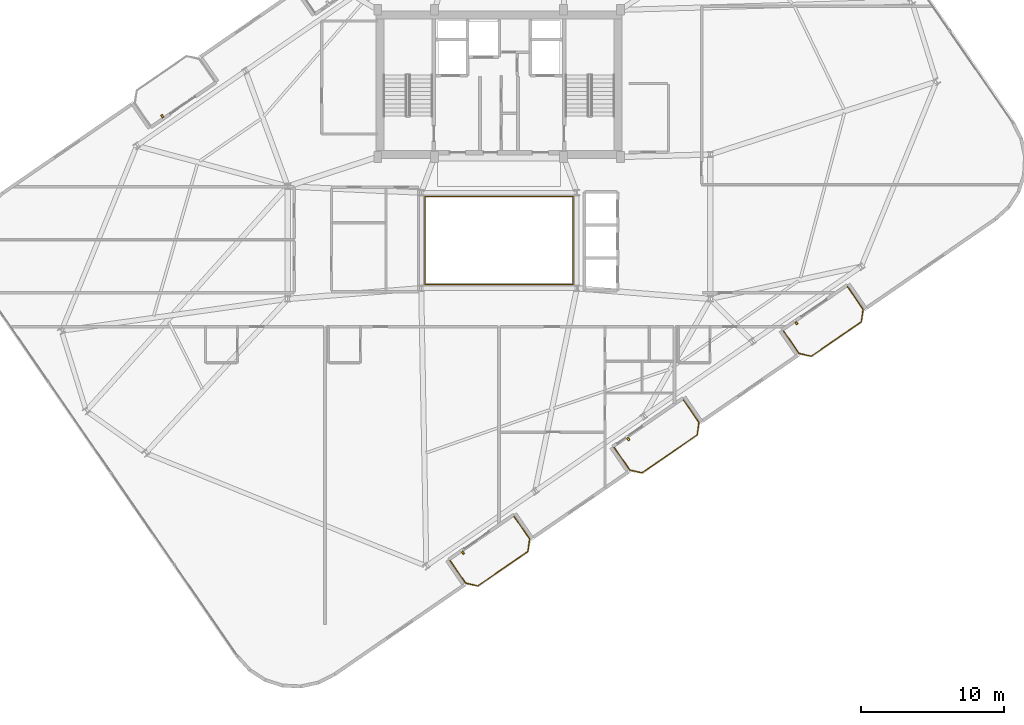
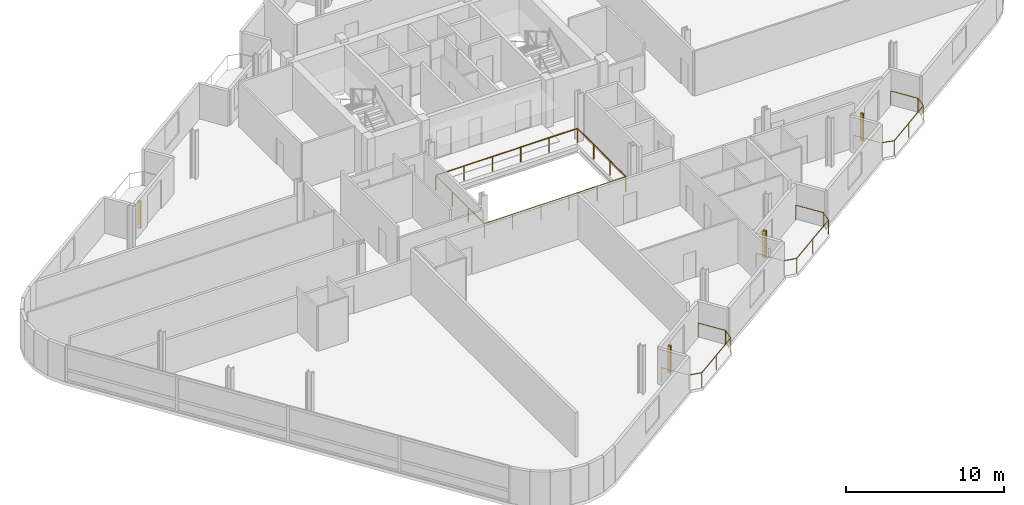
# One storey, part 19 of 21: 5 railings, 4 shading devices.
"""IFC4 building model written with IfcOpenShell, lengths in metres."""

from ifc_helpers import new_model, si_unit, direction, frame, origin, origin_2d, place, context, subcontext, project, spatial, rectangle, circle, extrude, source, transform, mapped, material, type_object, element, save


model = new_model("IFC4")

# Units and contexts
model_context = context("Model", 3, precision=1e-05, world=origin(), true_north=direction((0.0, 1.0)))
body_context = subcontext(model_context, "Body", "Model", "MODEL_VIEW")
ifc_project = project(units=[si_unit("LENGTHUNIT", "METRE"), si_unit("AREAUNIT", "SQUARE_METRE"), si_unit("VOLUMEUNIT", "CUBIC_METRE"), si_unit("PLANEANGLEUNIT", "RADIAN"), si_unit("MASSUNIT", "GRAM", prefix="KILO")], contexts=[model_context])

# Site, building, storey
site_placement = place(None, origin())
site = spatial("IfcSite", under=ifc_project, at=site_placement, CompositionType="ELEMENT")
building_placement = place(site_placement, origin())
building = spatial("IfcBuilding", under=site, at=building_placement, Name="Varnelok Gate Tower", CompositionType="ELEMENT")
storey_placement = place(building_placement, frame((0.0, 0.0, 276.699951171875)))
storey = spatial("IfcBuildingStorey", under=building, at=storey_placement, Name="L71", CompositionType="ELEMENT", Elevation=276.699951171875)

# Railings
ifc_material_1 = material(Name="Tempered Laminated Balustrade Glass", Category="glass")
railing_type_1 = type_object("IfcRailingType", Name="RL-ATR-GUARD1150", PredefinedType="GUARDRAIL", material=ifc_material_1)
railing_1_placement = place(storey_placement, frame((34.02001953125, 25.929931640625, 0.0)))
element("IfcRailing", 1, at=railing_1_placement, inside=storey, type_object=railing_type_1, Name="L71 Internal Atrium South-West Guardrail", PredefinedType="GUARDRAIL", context=body_context, shape_type="SweptSolid", body=[
    extrude(circle(Radius=0.02392578125, at=origin_2d()), frame((0.0, 0.0, 1.1259765625), z_axis=(0.0, -1.0, 0.0), x_axis=(1.0, 0.0, 0.0)), (0.0, 0.0, 1.0), 6.10986328125),
    extrude(circle(Radius=0.02392578125, at=origin_2d()), frame((0.0, -6.10986328125, 1.1259765625), z_axis=(1.0, 0.0, 0.0), x_axis=(0.0, 1.0, 0.0)), (0.0, 0.0, 1.0), 10.31005859375),
    extrude(circle(Radius=0.02099609375, at=origin_2d()), origin(), (0.0, 0.0, 1.0), 1.101806640625),
    extrude(circle(Radius=0.02099609375, at=origin_2d()), frame((0.0, -2.03662109375, 0.0)), (0.0, 0.0, 1.0), 1.101806640625),
    extrude(circle(Radius=0.02099609375, at=origin_2d()), frame((0.0, -4.0732421875, 0.0)), (0.0, 0.0, 1.0), 1.101806640625),
    extrude(circle(Radius=0.02099609375, at=origin_2d()), frame((0.0, -6.10986328125, 0.0)), (0.0, 0.0, 1.0), 1.101806640625),
    extrude(circle(Radius=0.02099609375, at=origin_2d()), frame((2.06201171875, -6.10986328125, 0.0)), (0.0, 0.0, 1.0), 1.101806640625),
    extrude(circle(Radius=0.02099609375, at=origin_2d()), frame((4.1240234375, -6.10986328125, 0.0)), (0.0, 0.0, 1.0), 1.101806640625),
    extrude(circle(Radius=0.02099609375, at=origin_2d()), frame((6.18603515625, -6.10986328125, 0.0)), (0.0, 0.0, 1.0), 1.101806640625),
    extrude(circle(Radius=0.02099609375, at=origin_2d()), frame((8.248046875, -6.10986328125, 0.0)), (0.0, 0.0, 1.0), 1.101806640625),
    extrude(circle(Radius=0.02099609375, at=origin_2d()), frame((10.31005859375, -6.10986328125, 0.0)), (0.0, 0.0, 1.0), 1.101806640625),
])
railing_2_placement = place(storey_placement, frame((44.3798828125, 19.820068359375, 0.0)))
element("IfcRailing", 2, at=railing_2_placement, inside=storey, type_object=railing_type_1, Name="L71 Internal Atrium North-East Guardrail", PredefinedType="GUARDRAIL", context=body_context, shape_type="SweptSolid", body=[
    extrude(circle(Radius=0.02392578125, at=origin_2d()), frame((0.0, 0.0, 1.1259765625), z_axis=(0.0, 1.0, 0.0), x_axis=(-1.0, 0.0, 0.0)), (0.0, 0.0, 1.0), 6.159912109375),
    extrude(circle(Radius=0.02392578125, at=origin_2d()), frame((0.0, 6.159912109375, 1.1259765625), z_axis=(-1.0, 0.0, 0.0), x_axis=(0.0, -1.0, 0.0)), (0.0, 0.0, 1.0), 10.35986328125),
    extrude(circle(Radius=0.02099609375, at=origin_2d()), origin(), (0.0, 0.0, 1.0), 1.101806640625),
    extrude(circle(Radius=0.02099609375, at=origin_2d()), frame((0.0, 2.05322265625, 0.0)), (0.0, 0.0, 1.0), 1.101806640625),
    extrude(circle(Radius=0.02099609375, at=origin_2d()), frame((0.0, 4.106689453125, 0.0)), (0.0, 0.0, 1.0), 1.101806640625),
    extrude(circle(Radius=0.02099609375, at=origin_2d()), frame((0.0, 6.159912109375, 0.0)), (0.0, 0.0, 1.0), 1.101806640625),
    extrude(circle(Radius=0.02099609375, at=origin_2d()), frame((-2.072021484375, 6.159912109375, 0.0)), (0.0, 0.0, 1.0), 1.101806640625),
    extrude(circle(Radius=0.02099609375, at=origin_2d()), frame((-4.14404296875, 6.159912109375, 0.0)), (0.0, 0.0, 1.0), 1.101806640625),
    extrude(circle(Radius=0.02099609375, at=origin_2d()), frame((-6.2158203125, 6.159912109375, 0.0)), (0.0, 0.0, 1.0), 1.101806640625),
    extrude(circle(Radius=0.02099609375, at=origin_2d()), frame((-8.287841796875, 6.159912109375, 0.0)), (0.0, 0.0, 1.0), 1.101806640625),
    extrude(circle(Radius=0.02099609375, at=origin_2d()), frame((-10.35986328125, 6.159912109375, 0.0)), (0.0, 0.0, 1.0), 1.101806640625),
])
ifc_material_2 = material(Name="Low-E Laminated Double Glazing IGU", Category="glass")
railing_type_2 = type_object("IfcRailingType", Name="RL-BALC-1150", PredefinedType="BALUSTRADE", material=ifc_material_2)
railing_3_placement = place(storey_placement, frame((35.77099609375, 0.473876953125, 0.0)))
element("IfcRailing", 3, at=railing_3_placement, inside=storey, type_object=railing_type_2, Name="L71 South Terrace Balustrade 1", PredefinedType="BALUSTRADE", context=body_context, shape_type="SweptSolid", body=[
    extrude(circle(Radius=0.02392578125, at=origin_2d()), frame((0.0, 0.0, 1.1259765625), z_axis=(0.567224752248, -0.823563039747, 0.0), x_axis=(0.823563039747, 0.567224752248, 0.0)), (0.0, 0.0, 1.0), 1.920166015625),
    extrude(circle(Radius=0.02392578125, at=origin_2d()), frame((1.089111328125, -1.581298828125, 1.1259765625), z_axis=(0.973526462254, -0.228574336467, 0.0), x_axis=(0.228574336467, 0.973526462254, 0.0)), (0.0, 0.0, 1.0), 0.8779296875),
    extrude(circle(Radius=0.02392578125, at=origin_2d()), frame((1.94384765625, -1.781982421875, 1.1259765625), z_axis=(0.823512353028, 0.5672983381, 0.0), x_axis=(-0.5672983381, 0.823512353028, 0.0)), (0.0, 0.0, 1.0), 4.26708984375),
    extrude(circle(Radius=0.02392578125, at=origin_2d()), frame((5.457763671875, 0.638671875, 1.1259765625), z_axis=(0.133475040405, 0.991052175008, 0.0), x_axis=(-0.991052175008, 0.133475040405, 0.0)), (0.0, 0.0, 1.0), 0.8779296875),
    extrude(circle(Radius=0.02392578125, at=origin_2d()), frame((5.574951171875, 1.5087890625, 1.1259765625), z_axis=(-0.567284155424, 0.82352212296, 0.0), x_axis=(-0.82352212296, -0.567284155424, 0.0)), (0.0, 0.0, 1.0), 1.919921875),
    extrude(circle(Radius=0.02099609375, at=origin_2d()), origin(), (0.0, 0.0, 1.0), 1.101806640625),
    extrude(circle(Radius=0.02099609375, at=origin_2d()), frame((1.089111328125, -1.581298828125, 0.0)), (0.0, 0.0, 1.0), 1.101806640625),
    extrude(circle(Radius=0.02099609375, at=origin_2d()), frame((1.94384765625, -1.781982421875, 0.0)), (0.0, 0.0, 1.0), 1.101806640625),
    extrude(circle(Radius=0.02099609375, at=origin_2d()), frame((3.70068359375, -0.57177734375, 0.0)), (0.0, 0.0, 1.0), 1.101806640625),
    extrude(circle(Radius=0.02099609375, at=origin_2d()), frame((5.457763671875, 0.638671875, 0.0)), (0.0, 0.0, 1.0), 1.101806640625),
    extrude(circle(Radius=0.02099609375, at=origin_2d()), frame((5.574951171875, 1.5087890625, 0.0)), (0.0, 0.0, 1.0), 1.101806640625),
    extrude(circle(Radius=0.02099609375, at=origin_2d()), frame((4.48583984375, 3.08984375, 0.0)), (0.0, 0.0, 1.0), 1.101806640625),
])
railing_4_placement = place(storey_placement, frame((47.273193359375, 8.39697265625, 0.0)))
element("IfcRailing", 4, at=railing_4_placement, inside=storey, type_object=railing_type_2, Name="L71 South Terrace Balustrade 2", PredefinedType="BALUSTRADE", context=body_context, shape_type="SweptSolid", body=[
    extrude(circle(Radius=0.02392578125, at=origin_2d()), frame((0.0, 0.0, 1.1259765625), z_axis=(0.567224752248, -0.823563039747, 0.0), x_axis=(0.823563039747, 0.567224752248, 0.0)), (0.0, 0.0, 1.0), 1.920166015625),
    extrude(circle(Radius=0.02392578125, at=origin_2d()), frame((1.089111328125, -1.581298828125, 1.1259765625), z_axis=(0.973526462254, -0.228574336467, 0.0), x_axis=(0.228574336467, 0.973526462254, 0.0)), (0.0, 0.0, 1.0), 0.8779296875),
    extrude(circle(Radius=0.02392578125, at=origin_2d()), frame((1.94384765625, -1.781982421875, 1.1259765625), z_axis=(0.823523239622, 0.567282534371, 0.0), x_axis=(-0.567282534371, 0.823523239622, 0.0)), (0.0, 0.0, 1.0), 4.699951171875),
    extrude(circle(Radius=0.02392578125, at=origin_2d()), frame((5.814453125, 0.88427734375, 1.1259765625), z_axis=(0.133511834152, 0.991047218926, 0.0), x_axis=(-0.991047218926, 0.133511834152, 0.0)), (0.0, 0.0, 1.0), 0.877685546875),
    extrude(circle(Radius=0.02392578125, at=origin_2d()), frame((5.931640625, 1.754150390625, 1.1259765625), z_axis=(-0.567224752248, 0.823563039747, 0.0), x_axis=(-0.823563039747, -0.567224752248, 0.0)), (0.0, 0.0, 1.0), 1.920166015625),
    extrude(circle(Radius=0.02099609375, at=origin_2d()), origin(), (0.0, 0.0, 1.0), 1.101806640625),
    extrude(circle(Radius=0.02099609375, at=origin_2d()), frame((1.089111328125, -1.581298828125, 0.0)), (0.0, 0.0, 1.0), 1.101806640625),
    extrude(circle(Radius=0.02099609375, at=origin_2d()), frame((1.94384765625, -1.781982421875, 0.0)), (0.0, 0.0, 1.0), 1.101806640625),
    extrude(circle(Radius=0.02099609375, at=origin_2d()), frame((3.879150390625, -0.44873046875, 0.0)), (0.0, 0.0, 1.0), 1.101806640625),
    extrude(circle(Radius=0.02099609375, at=origin_2d()), frame((5.814453125, 0.88427734375, 0.0)), (0.0, 0.0, 1.0), 1.101806640625),
    extrude(circle(Radius=0.02099609375, at=origin_2d()), frame((5.931640625, 1.754150390625, 0.0)), (0.0, 0.0, 1.0), 1.101806640625),
    extrude(circle(Radius=0.02099609375, at=origin_2d()), frame((4.842529296875, 3.33544921875, 0.0)), (0.0, 0.0, 1.0), 1.101806640625),
])
railing_5_placement = place(storey_placement, frame((59.132080078125, 16.5654296875, 0.0)))
element("IfcRailing", 5, at=railing_5_placement, inside=storey, type_object=railing_type_2, Name="L71 South Terrace Balustrade 3", PredefinedType="BALUSTRADE", context=body_context, shape_type="SweptSolid", body=[
    extrude(circle(Radius=0.02392578125, at=origin_2d()), frame((0.0, 0.0, 1.1259765625), z_axis=(0.567284155424, -0.82352212296, 0.0), x_axis=(0.82352212296, 0.567284155424, 0.0)), (0.0, 0.0, 1.0), 1.919921875),
    extrude(circle(Radius=0.02392578125, at=origin_2d()), frame((1.089111328125, -1.5810546875, 1.1259765625), z_axis=(0.973526462254, -0.228574336467, 0.0), x_axis=(0.228574336467, 0.973526462254, 0.0)), (0.0, 0.0, 1.0), 0.8779296875),
    extrude(circle(Radius=0.02392578125, at=origin_2d()), frame((1.94384765625, -1.78173828125, 1.1259765625), z_axis=(0.823512353028, 0.5672983381, 0.0), x_axis=(-0.5672983381, 0.823512353028, 0.0)), (0.0, 0.0, 1.0), 4.26708984375),
    extrude(circle(Radius=0.02392578125, at=origin_2d()), frame((5.457763671875, 0.638916015625, 1.1259765625), z_axis=(0.133511834152, 0.991047218926, 0.0), x_axis=(-0.991047218926, 0.133511834152, 0.0)), (0.0, 0.0, 1.0), 0.877685546875),
    extrude(circle(Radius=0.02392578125, at=origin_2d()), frame((5.574951171875, 1.5087890625, 1.1259765625), z_axis=(-0.567224752248, 0.823563039747, 0.0), x_axis=(-0.823563039747, -0.567224752248, 0.0)), (0.0, 0.0, 1.0), 1.920166015625),
    extrude(circle(Radius=0.02099609375, at=origin_2d()), origin(), (0.0, 0.0, 1.0), 1.101806640625),
    extrude(circle(Radius=0.02099609375, at=origin_2d()), frame((1.089111328125, -1.5810546875, 0.0)), (0.0, 0.0, 1.0), 1.101806640625),
    extrude(circle(Radius=0.02099609375, at=origin_2d()), frame((1.94384765625, -1.78173828125, 0.0)), (0.0, 0.0, 1.0), 1.101806640625),
    extrude(circle(Radius=0.02099609375, at=origin_2d()), frame((3.70068359375, -0.5712890625, 0.0)), (0.0, 0.0, 1.0), 1.101806640625),
    extrude(circle(Radius=0.02099609375, at=origin_2d()), frame((5.457763671875, 0.638916015625, 0.0)), (0.0, 0.0, 1.0), 1.101806640625),
    extrude(circle(Radius=0.02099609375, at=origin_2d()), frame((5.574951171875, 1.5087890625, 0.0)), (0.0, 0.0, 1.0), 1.101806640625),
    extrude(circle(Radius=0.02099609375, at=origin_2d()), frame((4.48583984375, 3.090087890625, 0.0)), (0.0, 0.0, 1.0), 1.101806640625),
])

# Shading devices
ifc_material_3 = material(Name="Glazed Architectural Terracotta Ceramic", Category="masonry")
shading_device_type = type_object("IfcShadingDeviceType", Name="SHD-TERRA-FIN", PredefinedType="USERDEFINED", material=ifc_material_3)
shared_shape = source(origin(), body_context, "Body", "SweptSolid", [
    extrude(rectangle(XDim=0.139892578125, YDim=0.219970703125, at=origin_2d()), origin(), (0.0, 0.0, 1.0), 2.10009765625),
])
for number, where, z_axis, x_axis, name in (
    (6, (36.67822265625, 1.013671875, 0.10009765625), (0.0, 0.0, 1.0), (0.823532597628, 0.567268949127, 0.0), "L71 Terracotta Ceramic Baguette Sunscreen 1.1"),
    (7, (48.251708984375, 8.98583984375, 0.10009765625), (0.0, 0.0, 1.0), (0.823532597628, 0.567268949127, 0.0), "L71 Terracotta Ceramic Baguette Sunscreen 2.1"),
    (8, (60.039306640625, 17.10546875, 0.10009765625), (0.0, 0.0, 1.0), (0.823532597628, 0.567268949127, 0.0), "L71 Terracotta Ceramic Baguette Sunscreen 3.1"),
    (9, (15.60986328125, 31.599609375, 0.10009765625), (0.0, 0.0, 1.0), (0.823532597628, 0.567268949127, 0.0), "L71 Terracotta Ceramic Baguette Sunscreen 4.1"),
):
    element("IfcShadingDevice", number, at=place(storey_placement, frame(where, z_axis=z_axis, x_axis=x_axis)), inside=storey, type_object=shading_device_type, Name=name, ObjectType="BAGUETTE", PredefinedType="USERDEFINED", context=body_context, shape_type="MappedRepresentation", body=[
        mapped(shared_shape, transform((0.0, 0.0, 0.0), scale=1.0)),
    ])

save(model, "model.ifc")
